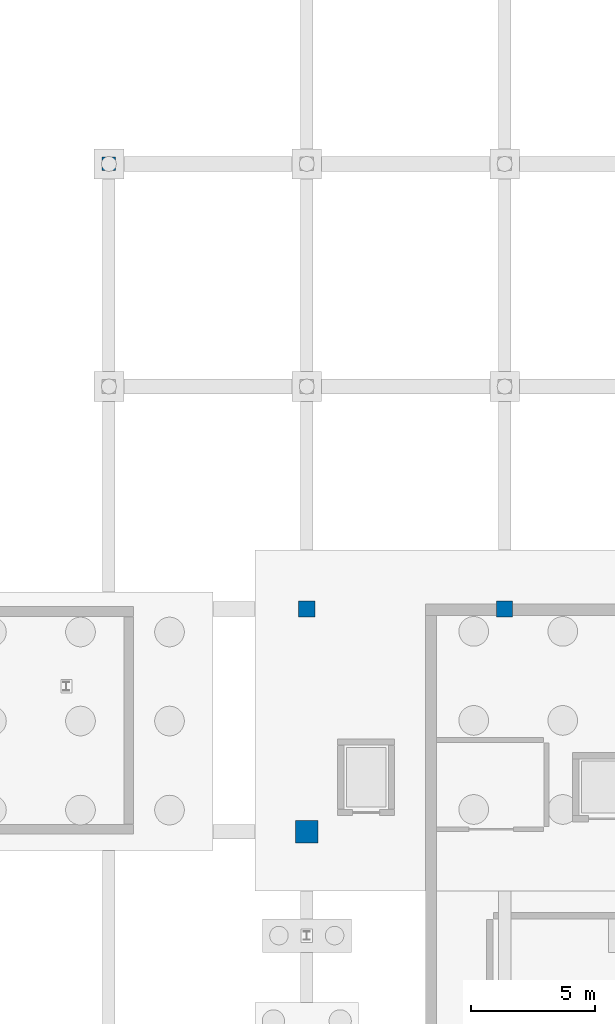
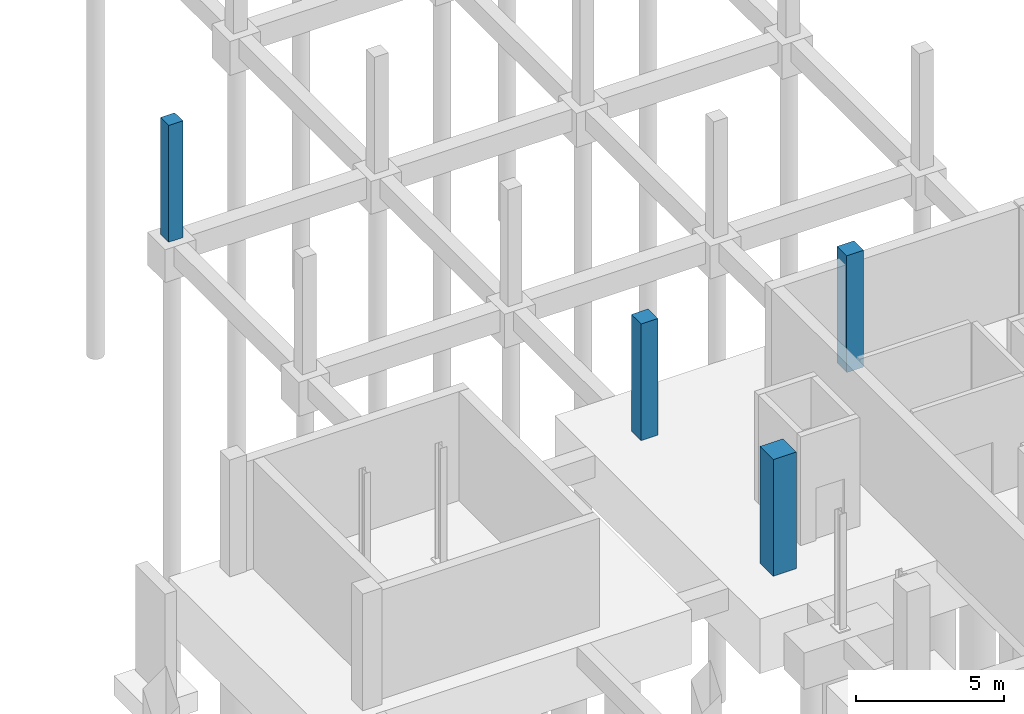
# One storey, part 16 of 32: 4 columns.
"""IFC4 building model written with IfcOpenShell, lengths in metres."""

import ifcopenshell
import ifcopenshell.guid

model = None  # the IFC model being written
_history = None  # IfcOwnerHistory: only IFC2X3 demands one
_inside = {}  # id of a spatial element -> (the spatial element, [elements in it])
_under = {}  # id of a project, library or spatial element -> (it, [spatial elements below it])
_declared = {}  # id of a project -> (the project, [libraries it declares])
_typed = {}  # id of a type object -> (the type object, [elements of that type])
_made_of = {}  # id of a material, layer set ... -> (it, [elements and type objects made of it])


def new_model(schema):
    """Start an empty IFC model of exactly this schema.

    Asked for "IFC4X3", IfcOpenShell would pick the latest addendum, in which some entities
    have other attributes; the version numbers below select the first issue.
    IFC2X3 requires an IfcOwnerHistory on every rooted entity: one is made here for all.
    """
    global model, _history
    if schema == "IFC4X3":
        model = ifcopenshell.file(schema_version=(4, 3, 0, 0))
    else:
        model = ifcopenshell.file(schema=schema)
    _inside.clear()
    _under.clear()
    _declared.clear()
    _typed.clear()
    _made_of.clear()
    _history = None
    if model.schema == "IFC2X3":
        org = make("IfcOrganization", Name="unknown")
        user = make(
            "IfcPersonAndOrganization",
            ThePerson=make("IfcPerson", FamilyName="unknown"),
            TheOrganization=org,
        )
        app = make(
            "IfcApplication",
            ApplicationDeveloper=org,
            Version="unknown",
            ApplicationFullName="unknown",
            ApplicationIdentifier="unknown",
        )
        _history = make(
            "IfcOwnerHistory",
            OwningUser=user,
            OwningApplication=app,
            ChangeAction="ADDED",
            CreationDate=0,
        )
    return model


def make(cls, **values):
    """One entity of the class cls with the attributes given. An attribute that is None is left unset."""
    return model.create_entity(
        cls, **{name: value for name, value in values.items() if value is not None}
    )


def rooted(cls, **values):
    """An entity with a GlobalId (a new one), such as an element, a storey or a relation."""
    return make(cls, GlobalId=ifcopenshell.guid.new(), OwnerHistory=_history, **values)


def si_unit(unit_type, name, prefix=None):
    """IfcSIUnit, for example si_unit("LENGTHUNIT", "METRE", prefix="MILLI")."""
    return make("IfcSIUnit", UnitType=unit_type, Prefix=prefix, Name=name)


def derived_unit(unit_type, elements):
    """IfcDerivedUnit: a product of units, each with its exponent."""
    return make(
        "IfcDerivedUnit",
        Elements=[
            make("IfcDerivedUnitElement", Unit=unit, Exponent=power)
            for unit, power in elements
        ],
        UnitType=unit_type,
    )


def assignment(units):
    """IfcUnitAssignment: the units of a project."""
    return None if units is None else make("IfcUnitAssignment", Units=units)


def point(xyz):
    """IfcCartesianPoint."""
    return None if xyz is None else make("IfcCartesianPoint", Coordinates=xyz)


def direction(xyz):
    """IfcDirection."""
    return None if xyz is None else make("IfcDirection", DirectionRatios=xyz)


def frame(location, z_axis=None, x_axis=None):
    """IfcAxis2Placement3D, a coordinate frame: its origin and axes. An axis left out is left unset."""
    return make(
        "IfcAxis2Placement3D",
        Location=point(location),
        Axis=direction(z_axis),
        RefDirection=direction(x_axis),
    )


def frame_2d(location, x_axis=None):
    """IfcAxis2Placement2D, a coordinate frame in the plane: its origin and x axis."""
    return make(
        "IfcAxis2Placement2D", Location=point(location), RefDirection=direction(x_axis)
    )


def origin():
    """The frame at (0, 0, 0) with its axes left unset."""
    return frame((0.0, 0.0, 0.0))


def origin_2d():
    """The frame at (0, 0) in the plane with its x axis left unset."""
    return frame_2d((0.0, 0.0))


def place(relative_to, where):
    """IfcLocalPlacement: puts the frame where relative to a parent placement (None: the world)."""
    return make(
        "IfcLocalPlacement", PlacementRelTo=relative_to, RelativePlacement=where
    )


def context(
    kind, dimensions, precision=None, world=None, true_north=None, identifier=None
):
    """IfcGeometricRepresentationContext, for example the 3D "Model" context."""
    return make(
        "IfcGeometricRepresentationContext",
        ContextIdentifier=identifier,
        ContextType=kind,
        CoordinateSpaceDimension=dimensions,
        Precision=precision,
        WorldCoordinateSystem=world,
        TrueNorth=true_north,
    )


def subcontext(parent, identifier, kind, view, scale=None):
    """IfcGeometricRepresentationSubContext, for example "Body" below "Model"."""
    return make(
        "IfcGeometricRepresentationSubContext",
        ContextIdentifier=identifier,
        ContextType=kind,
        ParentContext=parent,
        TargetScale=scale,
        TargetView=view,
    )


def project(units=None, contexts=None):
    """IfcProject with its units and contexts."""
    return rooted(
        "IfcProject",
        Name="project",
        RepresentationContexts=contexts,
        UnitsInContext=assignment(units),
    )


def spatial(cls, under=None, at=None, **own):
    """A site, building, storey or space (cls), placed at a placement, below another one or the project."""
    s = rooted(cls, ObjectPlacement=at, **own)
    if under is not None:
        _under.setdefault(under.id(), (under, []))[1].append(s)
    return s


def profile(cls, at=None, kind="AREA", **sizes):
    """A parametric profile (cls). Its sizes go by their IFC names, for example OverallWidth=200.0."""
    return make(cls, ProfileType=kind, Position=at, **sizes)


def rectangle(**sizes):
    """IfcRectangleProfileDef."""
    return profile("IfcRectangleProfileDef", **sizes)


def extrude(swept, where, along, depth):
    """IfcExtrudedAreaSolid: the profile swept, set in the frame where, extruded along a direction by depth."""
    return make(
        "IfcExtrudedAreaSolid",
        SweptArea=swept,
        Position=where,
        ExtrudedDirection=direction(along),
        Depth=depth,
    )


def shape(context_of_items, identifier, shape_type, items):
    """IfcShapeRepresentation: the items that make up one representation, for example the "Body"."""
    return make(
        "IfcShapeRepresentation",
        ContextOfItems=context_of_items,
        RepresentationIdentifier=identifier,
        RepresentationType=shape_type,
        Items=items,
    )


def material(Name=None, Category=None):
    """IfcMaterial."""
    return make("IfcMaterial", Name=Name, Category=Category)


def material_profile(
    of_material, cross_section, Name=None, Category=None, Priority=None
):
    """IfcMaterialProfile: a cross section and its material."""
    return make(
        "IfcMaterialProfile",
        Name=Name,
        Material=of_material,
        Profile=cross_section,
        Priority=Priority,
        Category=Category,
    )


def profile_set(profiles, Name=None, composite=None):
    """IfcMaterialProfileSet."""
    return make(
        "IfcMaterialProfileSet",
        Name=Name,
        MaterialProfiles=profiles,
        CompositeProfile=composite,
    )


def made_of(thing, what):
    """Note that an element or type object is made of a material, layer set ...; save() writes the relation."""
    if what is not None:
        _made_of.setdefault(what.id(), (what, []))[1].append(thing)
    return thing


def type_object(cls, material=None, **own):
    """A type object (cls), such as IfcWallType, which elements share."""
    return made_of(rooted(cls, **own), material)


def element(
    cls,
    number,
    at=None,
    inside=None,
    cuts=None,
    type_object=None,
    material=None,
    context=None,
    identifier="Body",
    shape_type=None,
    held_by="IfcProductDefinitionShape",
    body=None,
    shapes=None,
    **own,
):
    """One element of the class cls, such as IfcWall. Its Tag is "e" and its number.

    at: its placement. inside: the storey or other place that contains it. cuts: it is an
    opening in that element (IfcRelVoidsElement). A single representation is given by context,
    identifier, shape_type and body (its items); several are given by shapes. held_by: the class
    of the entity that holds the representations. save() writes the other relations.
    """
    e = rooted(cls, Tag="e%d" % number, ObjectPlacement=at, **own)
    if body is not None:
        shapes = [shape(context, identifier, shape_type, body)]
    if shapes is not None:
        e.Representation = make(held_by, Representations=shapes)
    if inside is not None:
        _inside.setdefault(inside.id(), (inside, []))[1].append(e)
    if cuts is not None:
        rooted(
            "IfcRelVoidsElement", RelatingBuildingElement=cuts, RelatedOpeningElement=e
        )
    if type_object is not None:
        _typed.setdefault(type_object.id(), (type_object, []))[1].append(e)
    return made_of(e, material)


def aggregate(whole, parts):
    """IfcRelAggregates: a whole, such as a stair, and the parts it consists of."""
    return rooted("IfcRelAggregates", RelatingObject=whole, RelatedObjects=parts)


def save(model, path):
    """Write the relations noted so far, then the file.

    IfcRelAggregates (storeys below a building ...), IfcRelContainedInSpatialStructure (elements
    in a storey), IfcRelDefinesByType, IfcRelAssociatesMaterial and IfcRelDeclares: one each for
    every whole, place, type object, material and project.
    """
    for whole, parts in _under.values():
        aggregate(whole, parts)
    for where, things in _inside.values():
        rooted(
            "IfcRelContainedInSpatialStructure",
            RelatedElements=things,
            RelatingStructure=where,
        )
    for kind, things in _typed.values():
        rooted("IfcRelDefinesByType", RelatedObjects=things, RelatingType=kind)
    for what, things in _made_of.values():
        rooted("IfcRelAssociatesMaterial", RelatedObjects=things, RelatingMaterial=what)
    for by, libraries in _declared.values():
        rooted("IfcRelDeclares", RelatingContext=by, RelatedDefinitions=libraries)
    model.write(path)


model = new_model("IFC4")

# Units and contexts
model_context = context("Model", 3, precision=1e-05, world=origin(), true_north=direction((0.0, 1.0)))
body_context = subcontext(model_context, "Body", "Model", "MODEL_VIEW")
ifc_project = project(units=[si_unit("LENGTHUNIT", "METRE"), si_unit("AREAUNIT", "SQUARE_METRE"), si_unit("VOLUMEUNIT", "CUBIC_METRE"), si_unit("PLANEANGLEUNIT", "RADIAN"), si_unit("MASSUNIT", "GRAM", prefix="KILO"), derived_unit("THERMALTRANSMITTANCEUNIT", [(si_unit("POWERUNIT", "WATT"), 1), (si_unit("LENGTHUNIT", "METRE"), -2), (si_unit("THERMODYNAMICTEMPERATUREUNIT", "KELVIN"), -1)])], contexts=[model_context])

# Site, building, storey
site_placement = place(None, origin())
site = spatial("IfcSite", under=ifc_project, at=site_placement, CompositionType="ELEMENT")
building_placement = place(site_placement, origin())
building = spatial("IfcBuilding", under=site, at=building_placement, Name="Nallur Shell Playhouse", CompositionType="ELEMENT")
storey_placement = place(building_placement, frame((0.0, 0.0, -4.800048828125)))
storey = spatial("IfcBuildingStorey", under=building, at=storey_placement, Name="B1", CompositionType="ELEMENT", Elevation=-4.800048828125)

# Columns
ifc_material_1 = material(Name="Concrete M35", Category="concrete")
ifc_material_profile_1 = material_profile(ifc_material_1, rectangle(XDim=0.550048828125, YDim=0.550048828125, at=origin_2d()), Name="RC 550x550")
ifc_profile_set_1 = profile_set([ifc_material_profile_1], Name="Concrete M35")
column_type_1 = type_object("IfcColumnType", Name="CL-RC-550", PredefinedType="COLUMN", material=ifc_profile_set_1)
column_1_placement = place(storey_placement, frame((32.0, 101.0, 0.0), z_axis=(0.0, 0.0, 1.0), x_axis=(1.0, 0.0, 0.0)))
element("IfcColumn", 1, at=column_1_placement, inside=storey, type_object=column_type_1, Name="Column 4-M (B1)", PredefinedType="COLUMN", context=body_context, shape_type="SweptSolid", body=[
    extrude(rectangle(XDim=0.550048828125, YDim=0.550048828125, at=origin_2d()), origin(), (0.0, 0.0, 1.0), 4.800048828125),
])
ifc_material_profile_2 = material_profile(ifc_material_1, rectangle(XDim=0.64990234375, YDim=0.64990234375, at=origin_2d()), Name="RC 650x650")
ifc_profile_set_2 = profile_set([ifc_material_profile_2], Name="Concrete M35")
column_type_2 = type_object("IfcColumnType", Name="CL-RC-650", PredefinedType="COLUMN", material=ifc_profile_set_2)
for number, where, z_axis, x_axis, name in (
    (2, (40.0, 83.0, 0.0), (0.0, 0.0, 1.0), (1.0, 0.0, 0.0), "Column 5-K (B1)"),
    (3, (48.0, 83.0, 0.0), (0.0, 0.0, 1.0), (1.0, 0.0, 0.0), "Column 6-K (B1)"),
):
    element("IfcColumn", number, at=place(storey_placement, frame(where, z_axis=z_axis, x_axis=x_axis)), inside=storey, type_object=column_type_2, Name=name, PredefinedType="COLUMN", context=body_context, shape_type="SweptSolid", body=[
        extrude(rectangle(XDim=0.64990234375, YDim=0.64990234375, at=origin_2d()), origin(), (0.0, 0.0, 1.0), 4.800048828125),
    ])
ifc_material_2 = material(Name="Concrete M40", Category="concrete")
ifc_material_profile_3 = material_profile(ifc_material_2, rectangle(XDim=0.89990234375, YDim=0.89990234375, at=origin_2d()), Name="RC 900x900")
ifc_profile_set_3 = profile_set([ifc_material_profile_3], Name="Concrete M40")
column_type_3 = type_object("IfcColumnType", Name="CL-RC-900", PredefinedType="COLUMN", material=ifc_profile_set_3)
column_2_placement = place(storey_placement, frame((40.0, 74.0, 0.0), z_axis=(0.0, 0.0, 1.0), x_axis=(1.0, 0.0, 0.0)))
element("IfcColumn", 4, at=column_2_placement, inside=storey, type_object=column_type_3, Name="Column 5-J (B1)", PredefinedType="COLUMN", context=body_context, shape_type="SweptSolid", body=[
    extrude(rectangle(XDim=0.89990234375, YDim=0.89990234375, at=origin_2d()), origin(), (0.0, 0.0, 1.0), 4.800048828125),
])

save(model, "model.ifc")
